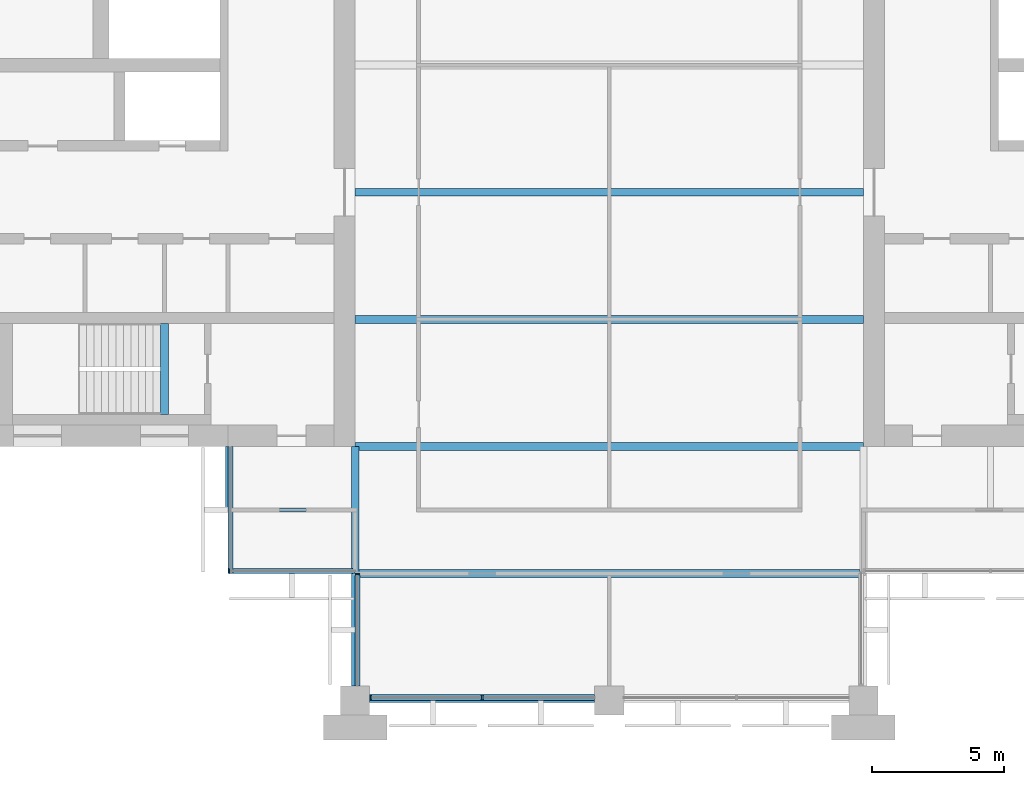
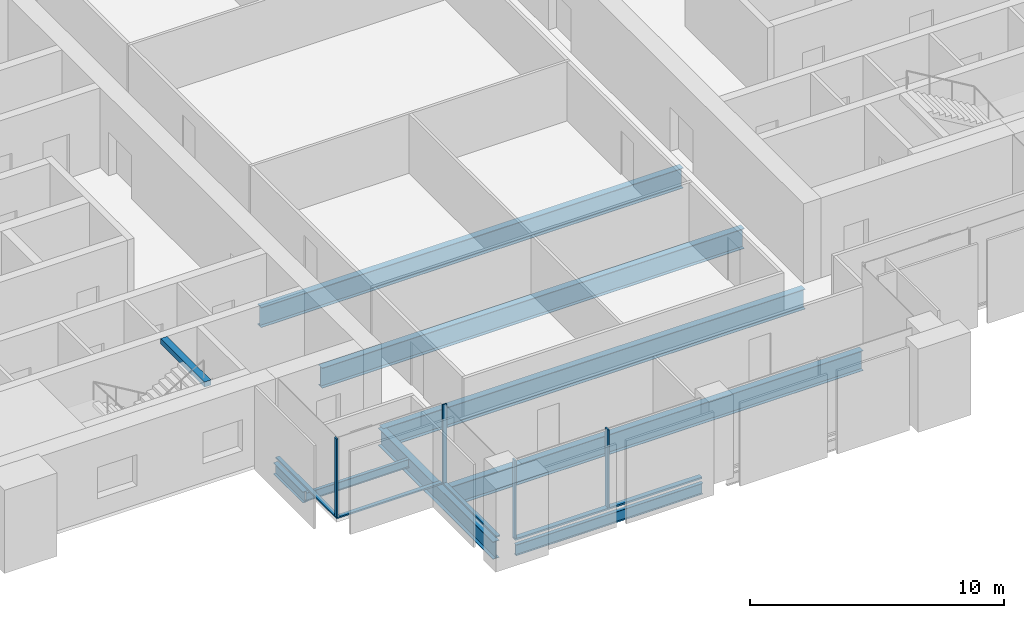
# One storey, part 2 of 13: 9 beams, 8 members, 4 elements without a shape of their own.
"""IFC4 building model written with IfcOpenShell, lengths in metres."""

from ifc_helpers import new_model, si_unit, direction, frame, origin, origin_2d, place, context, subcontext, project, spatial, rectangle, i_section, extrude, material, material_profile, profile_set, type_object, element, aggregate, save


model = new_model("IFC4")

# Units and contexts
model_context = context("Model", 3, precision=1e-05, world=origin(), true_north=direction((0.0, 1.0)))
body_context = subcontext(model_context, "Body", "Model", "MODEL_VIEW")
ifc_project = project(units=[si_unit("LENGTHUNIT", "METRE"), si_unit("AREAUNIT", "SQUARE_METRE"), si_unit("VOLUMEUNIT", "CUBIC_METRE"), si_unit("PLANEANGLEUNIT", "RADIAN"), si_unit("MASSUNIT", "GRAM", prefix="KILO")], contexts=[model_context])

# Site, building, storey
site_placement = place(None, origin())
site = spatial("IfcSite", under=ifc_project, at=site_placement, CompositionType="ELEMENT")
building_placement = place(site_placement, origin())
building = spatial("IfcBuilding", under=site, at=building_placement, Name="Baori Bourse Tower", CompositionType="ELEMENT")
storey_placement = place(building_placement, frame((0.0, 0.0, 217.199951171875)))
storey = spatial("IfcBuildingStorey", under=building, at=storey_placement, Name="L47", CompositionType="ELEMENT", Elevation=217.199951171875)

# Curtain wall, member
ifc_material_1 = material(Name="Pale anodised aluminium", Category="aluminium")
curtain_wall_type_1 = type_object("IfcCurtainWallType", Name="CW2 Curtain wall", PredefinedType="NOTDEFINED", material=ifc_material_1)
curtain_wall_1_placement = place(storey_placement, origin())
curtain_wall_1 = element("IfcCurtainWall", 1, at=curtain_wall_1_placement, inside=storey, type_object=curtain_wall_type_1, Name="Curtain wall CW2 L47 9", PredefinedType="NOTDEFINED")
ifc_material_2 = material(Name="Pale anodised aluminium", Category="aluminium")
ifc_material_profile_1 = material_profile(ifc_material_2, rectangle(XDim=0.179931640625, YDim=0.054931640625, at=origin_2d()), Name="Mullion 55x180")
ifc_profile_set_1 = profile_set([ifc_material_profile_1], Name="Pale anodised aluminium")
member_type_1 = type_object("IfcMemberType", Name="CW2 Curtain wall mullion", PredefinedType="MULLION", material=ifc_profile_set_1)
member_1_placement = place(storey_placement, frame((14.427490234375, 4.889892578125, 0.070068359375), z_axis=(0.0, 0.0, 1.0), x_axis=(0.0, 1.0, 0.0)))
member_1 = element("IfcMember", 2, at=member_1_placement, type_object=member_type_1, Name="Curtain wall CW2 mullion", PredefinedType="MULLION", context=body_context, shape_type="SweptSolid", body=[
    extrude(rectangle(XDim=0.179931640625, YDim=0.054931640625, at=origin_2d()), origin(), (0.0, 0.0, 1.0), 3.77001953125),
])

curtain_wall_2_placement = place(storey_placement, origin())
curtain_wall_2 = element("IfcCurtainWall", 3, at=curtain_wall_2_placement, inside=storey, type_object=curtain_wall_type_1, Name="Curtain wall CW2 L47 10", PredefinedType="NOTDEFINED")
member_2_placement = place(storey_placement, frame((19.2900390625, 4.7724609375, 0.070068359375), z_axis=(0.0, 0.0, 1.0), x_axis=(1.0, 0.0, 0.0)))
member_2 = element("IfcMember", 4, at=member_2_placement, type_object=member_type_1, Name="Curtain wall CW2 mullion", PredefinedType="MULLION", context=body_context, shape_type="SweptSolid", body=[
    extrude(rectangle(XDim=0.179931640625, YDim=0.054931640625, at=origin_2d()), origin(), (0.0, 0.0, 1.0), 3.77001953125),
])

curtain_wall_3_placement = place(storey_placement, origin())
curtain_wall_3 = element("IfcCurtainWall", 5, at=curtain_wall_3_placement, inside=storey, type_object=curtain_wall_type_1, Name="Curtain wall CW2 L47 8", PredefinedType="NOTDEFINED")
ifc_material_3 = material(Name="Pale anodised aluminium", Category="aluminium")
ifc_material_profile_2 = material_profile(ifc_material_3, rectangle(XDim=0.179931640625, YDim=0.070068359375, at=origin_2d()), Name="Transom 70x180")
ifc_profile_set_2 = profile_set([ifc_material_profile_2], Name="Pale anodised aluminium")
member_type_2 = type_object("IfcMemberType", Name="CW2 Curtain wall transom", PredefinedType="USERDEFINED", material=ifc_profile_set_2)
member_3_placement = place(storey_placement, frame((14.489990234375, 9.60009765625, 0.03515625), z_axis=(0.0, -1.0, 0.0), x_axis=(1.0, 0.0, 0.0)))
member_3 = element("IfcMember", 6, at=member_3_placement, type_object=member_type_2, Name="Curtain wall CW2 sill rail", ObjectType="TRANSOM", PredefinedType="USERDEFINED", context=body_context, shape_type="SweptSolid", body=[
    extrude(rectangle(XDim=0.179931640625, YDim=0.070068359375, at=origin_2d()), origin(), (0.0, 0.0, 1.0), 4.800048828125),
])
aggregate(curtain_wall_3, [member_3])

# Member
member_4_placement = place(storey_placement, frame((14.39990234375, 4.889892578125, 0.03515625), z_axis=(1.0, 0.0, 0.0), x_axis=(0.0, 1.0, 0.0)))
member_4 = element("IfcMember", 7, at=member_4_placement, type_object=member_type_2, Name="Curtain wall CW2 sill rail", ObjectType="TRANSOM", PredefinedType="USERDEFINED", context=body_context, shape_type="SweptSolid", body=[
    extrude(rectangle(XDim=0.179931640625, YDim=0.070068359375, at=origin_2d()), origin(), (0.0, 0.0, 1.0), 4.800048828125),
])

aggregate(curtain_wall_1, [member_4, member_1])

member_5_placement = place(storey_placement, frame((19.2900390625, 4.800048828125, 0.03515625), z_axis=(0.0, -1.0, 0.0), x_axis=(1.0, 0.0, 0.0)))
member_5 = element("IfcMember", 8, at=member_5_placement, type_object=member_type_2, Name="Curtain wall CW2 sill rail", ObjectType="TRANSOM", PredefinedType="USERDEFINED", context=body_context, shape_type="SweptSolid", body=[
    extrude(rectangle(XDim=0.179931640625, YDim=0.070068359375, at=origin_2d()), origin(), (0.0, 0.0, 1.0), 4.25),
])

aggregate(curtain_wall_2, [member_5, member_2])

# Curtain wall, members
ifc_material_4 = material(Name="Pale anodised aluminium", Category="aluminium")
curtain_wall_type_2 = type_object("IfcCurtainWallType", Name="CW5 Curtain wall", PredefinedType="NOTDEFINED", material=ifc_material_4)
curtain_wall_4_placement = place(storey_placement, origin())
curtain_wall_4 = element("IfcCurtainWall", 9, at=curtain_wall_4_placement, inside=storey, type_object=curtain_wall_type_2, Name="Curtain wall CW5 L47 11", PredefinedType="NOTDEFINED")
ifc_material_5 = material(Name="Pale anodised aluminium", Category="aluminium")
ifc_material_profile_3 = material_profile(ifc_material_5, rectangle(XDim=0.219970703125, YDim=0.06494140625, at=origin_2d()), Name="Mullion 65x220")
ifc_profile_set_3 = profile_set([ifc_material_profile_3], Name="Pale anodised aluminium")
member_type_3 = type_object("IfcMemberType", Name="CW5 Curtain wall mullion", PredefinedType="MULLION", material=ifc_profile_set_3)
member_6_placement = place(storey_placement, frame((19.782470703125, 0.110107421875, 0.0849609375), z_axis=(0.0, 0.0, 1.0), x_axis=(0.0, 1.0, 0.0)))
member_6 = element("IfcMember", 10, at=member_6_placement, type_object=member_type_3, Name="Curtain wall CW5 mullion", PredefinedType="MULLION", context=body_context, shape_type="SweptSolid", body=[
    extrude(rectangle(XDim=0.219970703125, YDim=0.06494140625, at=origin_2d()), origin(), (0.0, 0.0, 1.0), 3.755126953125),
])
member_7_placement = place(storey_placement, frame((24.0, 0.110107421875, 0.0849609375), z_axis=(0.0, 0.0, 1.0), x_axis=(0.0, 1.0, 0.0)))
member_7 = element("IfcMember", 11, at=member_7_placement, type_object=member_type_3, Name="Curtain wall CW5 mullion", PredefinedType="MULLION", context=body_context, shape_type="SweptSolid", body=[
    extrude(rectangle(XDim=0.219970703125, YDim=0.06494140625, at=origin_2d()), origin(), (0.0, 0.0, 1.0), 3.755126953125),
])
ifc_material_6 = material(Name="Pale anodised aluminium", Category="aluminium")
ifc_material_profile_4 = material_profile(ifc_material_6, rectangle(XDim=0.219970703125, YDim=0.0849609375, at=origin_2d()), Name="Transom 85x220")
ifc_profile_set_4 = profile_set([ifc_material_profile_4], Name="Pale anodised aluminium")
member_type_4 = type_object("IfcMemberType", Name="CW5 Curtain wall transom", PredefinedType="USERDEFINED", material=ifc_profile_set_4)
member_8_placement = place(storey_placement, frame((19.75, 0.110107421875, 0.04248046875), z_axis=(1.0, 0.0, 0.0), x_axis=(0.0, 1.0, 0.0)))
member_8 = element("IfcMember", 12, at=member_8_placement, type_object=member_type_4, Name="Curtain wall CW5 sill rail", ObjectType="TRANSOM", PredefinedType="USERDEFINED", context=body_context, shape_type="SweptSolid", body=[
    extrude(rectangle(XDim=0.219970703125, YDim=0.0849609375, at=origin_2d()), origin(), (0.0, 0.0, 1.0), 8.5),
])
aggregate(curtain_wall_4, [member_8, member_6, member_7])

# Beams
ifc_material_7 = material(Name="Steel A992 Gr 50", Category="steel")
ifc_material_profile_5 = material_profile(ifc_material_7, i_section(OverallWidth=0.21240234375, OverallDepth=0.54345703125, WebThickness=0.01318359375, FlangeThickness=0.021240234375, at=origin_2d()), Name="W21x83")
ifc_profile_set_5 = profile_set([ifc_material_profile_5], Name="Steel A992 Gr 50")
beam_type_1 = type_object("IfcBeamType", Name="Core bracket W21x83", PredefinedType="BEAM", material=ifc_profile_set_5)
beam_1_placement = place(storey_placement, frame((14.39990234375, 7.270263671875, -0.431640625), z_axis=(0.0, 1.0, 0.0), x_axis=(-1.0, 0.0, 0.0)))
element("IfcBeam", 13, at=beam_1_placement, inside=storey, type_object=beam_type_1, Name="Core bracket L47", PredefinedType="BEAM", context=body_context, shape_type="SweptSolid", body=[
    extrude(i_section(OverallWidth=0.21240234375, OverallDepth=0.54345703125, WebThickness=0.01318359375, FlangeThickness=0.021240234375, at=origin_2d()), origin(), (0.0, 0.0, 1.0), 2.329833984375),
])
ifc_material_8 = material(Name="Steel A992 Gr 50", Category="steel")
ifc_material_profile_6 = material_profile(ifc_material_8, i_section(OverallWidth=0.1650390625, OverallDepth=0.52587890625, WebThickness=0.0087890625, FlangeThickness=0.011474609375, at=origin_2d()), Name="W21x44")
ifc_profile_set_6 = profile_set([ifc_material_profile_6], Name="Steel A992 Gr 50")
beam_type_2 = type_object("IfcBeamType", Name="Edge beam W21x44", PredefinedType="BEAM", material=ifc_profile_set_6)
beam_2_placement = place(storey_placement, frame((19.75, 0.0, -0.4228515625), z_axis=(1.0, 0.0, 0.0), x_axis=(0.0, 1.0, 0.0)))
element("IfcBeam", 14, at=beam_2_placement, inside=storey, type_object=beam_type_2, Name="Edge beam L47", PredefinedType="BEAM", context=body_context, shape_type="SweptSolid", body=[
    extrude(i_section(OverallWidth=0.1650390625, OverallDepth=0.52587890625, WebThickness=0.0087890625, FlangeThickness=0.011474609375, at=origin_2d()), origin(), (0.0, 0.0, 1.0), 8.5),
])
ifc_material_9 = material(Name="Steel A992 Gr 50", Category="steel")
ifc_material_profile_7 = material_profile(ifc_material_9, i_section(OverallWidth=0.2998046875, OverallDepth=0.97021484375, WebThickness=0.01611328125, FlangeThickness=0.02099609375, at=origin_2d()), Name="W40x149")
ifc_profile_set_7 = profile_set([ifc_material_profile_7], Name="Steel A992 Gr 50")
beam_type_3 = type_object("IfcBeamType", Name="Floor beam W40x149", PredefinedType="BEAM", material=ifc_profile_set_7)
beam_3_placement = place(storey_placement, frame((19.345947265625, 4.800048828125, -0.64501953125), z_axis=(1.0, 0.0, 0.0), x_axis=(0.0, 1.0, 0.0)))
element("IfcBeam", 15, at=beam_3_placement, inside=storey, type_object=beam_type_3, Name="Floor beam L47", PredefinedType="BEAM", context=body_context, shape_type="SweptSolid", body=[
    extrude(i_section(OverallWidth=0.2998046875, OverallDepth=0.97021484375, WebThickness=0.01611328125, FlangeThickness=0.02099609375, at=origin_2d()), origin(), (0.0, 0.0, 1.0), 18.920654296875),
])
for number, where, z_axis, x_axis, name in (
    (16, (19.199951171875, 9.60009765625, -0.64501953125), (1.0, 0.0, 0.0), (0.0, 1.0, 0.0), "Floor beam L47"),
    (17, (19.199951171875, 14.39990234375, -0.64501953125), (1.0, 0.0, 0.0), (0.0, 1.0, 0.0), "Floor beam L47"),
    (18, (19.199951171875, 19.199951171875, -0.64501953125), (1.0, 0.0, 0.0), (0.0, 1.0, 0.0), "Floor beam L47"),
):
    element("IfcBeam", number, at=place(storey_placement, frame(where, z_axis=z_axis, x_axis=x_axis)), inside=storey, type_object=beam_type_3, Name=name, PredefinedType="BEAM", context=body_context, shape_type="SweptSolid", body=[
        extrude(i_section(OverallWidth=0.2998046875, OverallDepth=0.97021484375, WebThickness=0.01611328125, FlangeThickness=0.02099609375, at=origin_2d()), origin(), (0.0, 0.0, 1.0), 19.199951171875),
    ])
ifc_material_10 = material(Name="Steel A992 Gr 50", Category="steel")
ifc_material_profile_8 = material_profile(ifc_material_10, i_section(OverallWidth=0.2919921875, OverallDepth=0.835693359375, WebThickness=0.013916015625, FlangeThickness=0.018798828125, at=origin_2d()), Name="W33x118")
ifc_profile_set_8 = profile_set([ifc_material_profile_8], Name="Steel A992 Gr 50")
beam_type_4 = type_object("IfcBeamType", Name="Girder W33x118", PredefinedType="BEAM", material=ifc_profile_set_8)
beam_4_placement = place(storey_placement, frame((19.199951171875, 0.550048828125, -0.577880859375), z_axis=(0.0, 1.0, 0.0), x_axis=(-1.0, 0.0, 0.0)))
element("IfcBeam", 19, at=beam_4_placement, inside=storey, type_object=beam_type_4, Name="Girder L47", PredefinedType="BEAM", context=body_context, shape_type="SweptSolid", body=[
    extrude(i_section(OverallWidth=0.2919921875, OverallDepth=0.835693359375, WebThickness=0.013916015625, FlangeThickness=0.018798828125, at=origin_2d()), origin(), (0.0, 0.0, 1.0), 9.050048828125),
])
ifc_material_11 = material(Name="Concrete f'c 50 MPa", Category="concrete")
ifc_material_profile_9 = material_profile(ifc_material_11, rectangle(XDim=0.300048828125, YDim=0.25, at=origin_2d()), Name="RC 300x250")
ifc_profile_set_9 = profile_set([ifc_material_profile_9], Name="Concrete f'c 50 MPa")
beam_type_5 = type_object("IfcBeamType", Name="Stair nib beam RC 300x250", PredefinedType="BEAM", material=ifc_profile_set_9)
beam_5_placement = place(storey_placement, frame((12.0, 10.800048828125, 3.715087890625), z_axis=(0.0, 1.0, 0.0), x_axis=(-1.0, 0.0, 0.0)))
element("IfcBeam", 20, at=beam_5_placement, inside=storey, type_object=beam_type_5, Name="Stair WA nib beam L48", PredefinedType="BEAM", context=body_context, shape_type="SweptSolid", body=[
    extrude(rectangle(XDim=0.300048828125, YDim=0.25, at=origin_2d()), origin(), (0.0, 0.0, 1.0), 3.449951171875),
])
ifc_material_12 = material(Name="Steel A992 Gr 50", Category="steel")
ifc_material_profile_10 = material_profile(ifc_material_12, i_section(OverallWidth=0.140380859375, OverallDepth=0.40380859375, WebThickness=0.007080078125, FlangeThickness=0.01123046875, at=origin_2d()), Name="W16x31")
ifc_profile_set_10 = profile_set([ifc_material_profile_10], Name="Steel A992 Gr 50")
beam_type_6 = type_object("IfcBeamType", Name="Trimmer beam W16x31", PredefinedType="BEAM", material=ifc_profile_set_10)
beam_6_placement = place(storey_placement, frame((14.39990234375, 7.199951171875, -0.36181640625), z_axis=(1.0, 0.0, 0.0), x_axis=(0.0, 1.0, 0.0)))
element("IfcBeam", 21, at=beam_6_placement, inside=storey, type_object=beam_type_6, Name="Trimmer beam L47", PredefinedType="BEAM", context=body_context, shape_type="SweptSolid", body=[
    extrude(i_section(OverallWidth=0.140380859375, OverallDepth=0.40380859375, WebThickness=0.007080078125, FlangeThickness=0.01123046875, at=origin_2d()), origin(), (0.0, 0.0, 1.0), 4.654052734375),
])

save(model, "model.ifc")
